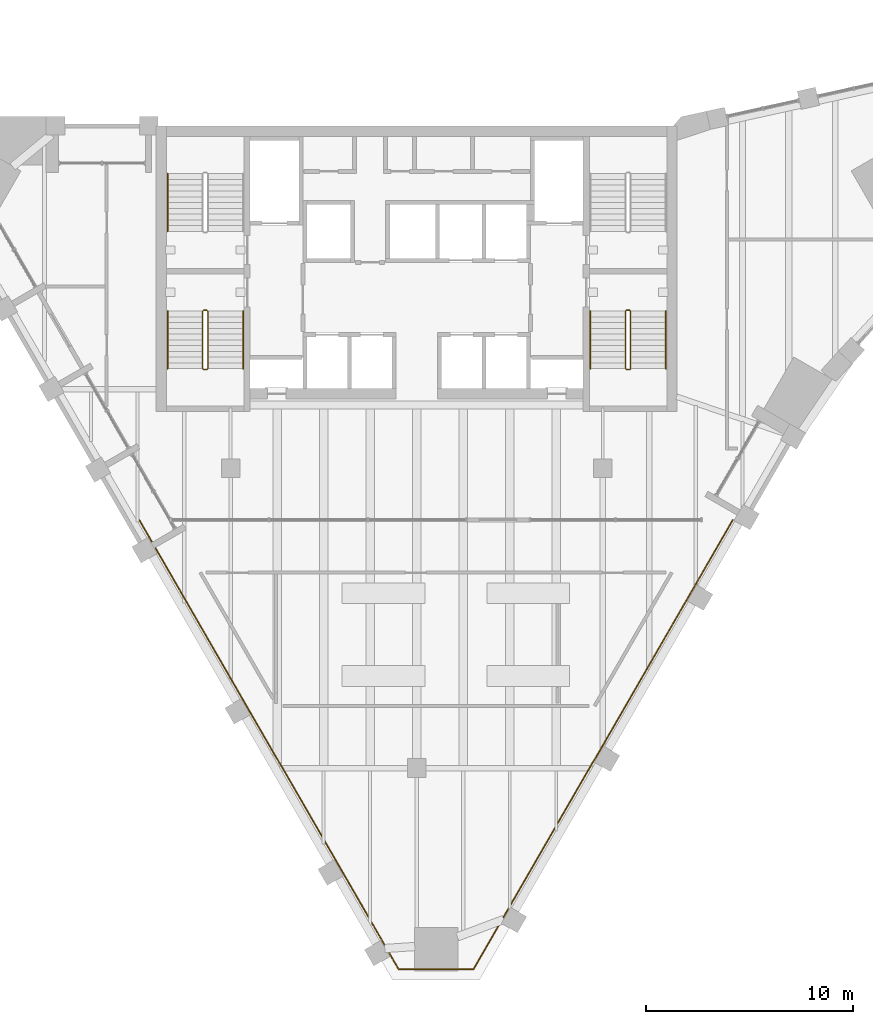
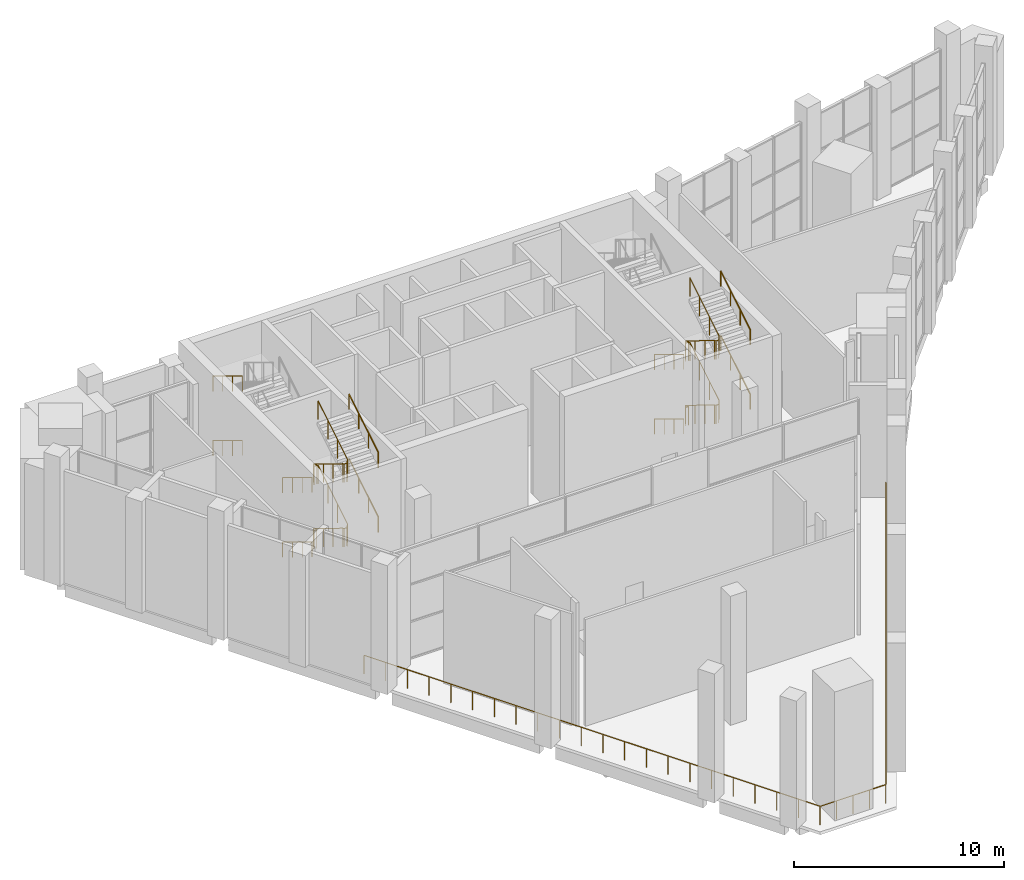
# One storey, part 13 of 14: 13 railings.
"""IFC4 building model written with IfcOpenShell, lengths in metres."""

import ifcopenshell
import ifcopenshell.guid

model = None  # the IFC model being written
_history = None  # IfcOwnerHistory: only IFC2X3 demands one
_inside = {}  # id of a spatial element -> (the spatial element, [elements in it])
_under = {}  # id of a project, library or spatial element -> (it, [spatial elements below it])
_declared = {}  # id of a project -> (the project, [libraries it declares])
_typed = {}  # id of a type object -> (the type object, [elements of that type])
_made_of = {}  # id of a material, layer set ... -> (it, [elements and type objects made of it])


def new_model(schema):
    """Start an empty IFC model of exactly this schema.

    Asked for "IFC4X3", IfcOpenShell would pick the latest addendum, in which some entities
    have other attributes; the version numbers below select the first issue.
    IFC2X3 requires an IfcOwnerHistory on every rooted entity: one is made here for all.
    """
    global model, _history
    if schema == "IFC4X3":
        model = ifcopenshell.file(schema_version=(4, 3, 0, 0))
    else:
        model = ifcopenshell.file(schema=schema)
    _inside.clear()
    _under.clear()
    _declared.clear()
    _typed.clear()
    _made_of.clear()
    _history = None
    if model.schema == "IFC2X3":
        org = make("IfcOrganization", Name="unknown")
        user = make(
            "IfcPersonAndOrganization",
            ThePerson=make("IfcPerson", FamilyName="unknown"),
            TheOrganization=org,
        )
        app = make(
            "IfcApplication",
            ApplicationDeveloper=org,
            Version="unknown",
            ApplicationFullName="unknown",
            ApplicationIdentifier="unknown",
        )
        _history = make(
            "IfcOwnerHistory",
            OwningUser=user,
            OwningApplication=app,
            ChangeAction="ADDED",
            CreationDate=0,
        )
    return model


def make(cls, **values):
    """One entity of the class cls with the attributes given. An attribute that is None is left unset."""
    return model.create_entity(
        cls, **{name: value for name, value in values.items() if value is not None}
    )


def rooted(cls, **values):
    """An entity with a GlobalId (a new one), such as an element, a storey or a relation."""
    return make(cls, GlobalId=ifcopenshell.guid.new(), OwnerHistory=_history, **values)


def si_unit(unit_type, name, prefix=None):
    """IfcSIUnit, for example si_unit("LENGTHUNIT", "METRE", prefix="MILLI")."""
    return make("IfcSIUnit", UnitType=unit_type, Prefix=prefix, Name=name)


def assignment(units):
    """IfcUnitAssignment: the units of a project."""
    return None if units is None else make("IfcUnitAssignment", Units=units)


def point(xyz):
    """IfcCartesianPoint."""
    return None if xyz is None else make("IfcCartesianPoint", Coordinates=xyz)


def direction(xyz):
    """IfcDirection."""
    return None if xyz is None else make("IfcDirection", DirectionRatios=xyz)


def frame(location, z_axis=None, x_axis=None):
    """IfcAxis2Placement3D, a coordinate frame: its origin and axes. An axis left out is left unset."""
    return make(
        "IfcAxis2Placement3D",
        Location=point(location),
        Axis=direction(z_axis),
        RefDirection=direction(x_axis),
    )


def frame_2d(location, x_axis=None):
    """IfcAxis2Placement2D, a coordinate frame in the plane: its origin and x axis."""
    return make(
        "IfcAxis2Placement2D", Location=point(location), RefDirection=direction(x_axis)
    )


def origin():
    """The frame at (0, 0, 0) with its axes left unset."""
    return frame((0.0, 0.0, 0.0))


def origin_2d():
    """The frame at (0, 0) in the plane with its x axis left unset."""
    return frame_2d((0.0, 0.0))


def place(relative_to, where):
    """IfcLocalPlacement: puts the frame where relative to a parent placement (None: the world)."""
    return make(
        "IfcLocalPlacement", PlacementRelTo=relative_to, RelativePlacement=where
    )


def context(
    kind, dimensions, precision=None, world=None, true_north=None, identifier=None
):
    """IfcGeometricRepresentationContext, for example the 3D "Model" context."""
    return make(
        "IfcGeometricRepresentationContext",
        ContextIdentifier=identifier,
        ContextType=kind,
        CoordinateSpaceDimension=dimensions,
        Precision=precision,
        WorldCoordinateSystem=world,
        TrueNorth=true_north,
    )


def subcontext(parent, identifier, kind, view, scale=None):
    """IfcGeometricRepresentationSubContext, for example "Body" below "Model"."""
    return make(
        "IfcGeometricRepresentationSubContext",
        ContextIdentifier=identifier,
        ContextType=kind,
        ParentContext=parent,
        TargetScale=scale,
        TargetView=view,
    )


def project(units=None, contexts=None):
    """IfcProject with its units and contexts."""
    return rooted(
        "IfcProject",
        Name="project",
        RepresentationContexts=contexts,
        UnitsInContext=assignment(units),
    )


def spatial(cls, under=None, at=None, **own):
    """A site, building, storey or space (cls), placed at a placement, below another one or the project."""
    s = rooted(cls, ObjectPlacement=at, **own)
    if under is not None:
        _under.setdefault(under.id(), (under, []))[1].append(s)
    return s


def profile(cls, at=None, kind="AREA", **sizes):
    """A parametric profile (cls). Its sizes go by their IFC names, for example OverallWidth=200.0."""
    return make(cls, ProfileType=kind, Position=at, **sizes)


def circle(**sizes):
    """IfcCircleProfileDef."""
    return profile("IfcCircleProfileDef", **sizes)


def extrude(swept, where, along, depth):
    """IfcExtrudedAreaSolid: the profile swept, set in the frame where, extruded along a direction by depth."""
    return make(
        "IfcExtrudedAreaSolid",
        SweptArea=swept,
        Position=where,
        ExtrudedDirection=direction(along),
        Depth=depth,
    )


def shape(context_of_items, identifier, shape_type, items):
    """IfcShapeRepresentation: the items that make up one representation, for example the "Body"."""
    return make(
        "IfcShapeRepresentation",
        ContextOfItems=context_of_items,
        RepresentationIdentifier=identifier,
        RepresentationType=shape_type,
        Items=items,
    )


def material(Name=None, Category=None):
    """IfcMaterial."""
    return make("IfcMaterial", Name=Name, Category=Category)


def made_of(thing, what):
    """Note that an element or type object is made of a material, layer set ...; save() writes the relation."""
    if what is not None:
        _made_of.setdefault(what.id(), (what, []))[1].append(thing)
    return thing


def type_object(cls, material=None, **own):
    """A type object (cls), such as IfcWallType, which elements share."""
    return made_of(rooted(cls, **own), material)


def element(
    cls,
    number,
    at=None,
    inside=None,
    cuts=None,
    type_object=None,
    material=None,
    context=None,
    identifier="Body",
    shape_type=None,
    held_by="IfcProductDefinitionShape",
    body=None,
    shapes=None,
    **own,
):
    """One element of the class cls, such as IfcWall. Its Tag is "e" and its number.

    at: its placement. inside: the storey or other place that contains it. cuts: it is an
    opening in that element (IfcRelVoidsElement). A single representation is given by context,
    identifier, shape_type and body (its items); several are given by shapes. held_by: the class
    of the entity that holds the representations. save() writes the other relations.
    """
    e = rooted(cls, Tag="e%d" % number, ObjectPlacement=at, **own)
    if body is not None:
        shapes = [shape(context, identifier, shape_type, body)]
    if shapes is not None:
        e.Representation = make(held_by, Representations=shapes)
    if inside is not None:
        _inside.setdefault(inside.id(), (inside, []))[1].append(e)
    if cuts is not None:
        rooted(
            "IfcRelVoidsElement", RelatingBuildingElement=cuts, RelatedOpeningElement=e
        )
    if type_object is not None:
        _typed.setdefault(type_object.id(), (type_object, []))[1].append(e)
    return made_of(e, material)


def aggregate(whole, parts):
    """IfcRelAggregates: a whole, such as a stair, and the parts it consists of."""
    return rooted("IfcRelAggregates", RelatingObject=whole, RelatedObjects=parts)


def save(model, path):
    """Write the relations noted so far, then the file.

    IfcRelAggregates (storeys below a building ...), IfcRelContainedInSpatialStructure (elements
    in a storey), IfcRelDefinesByType, IfcRelAssociatesMaterial and IfcRelDeclares: one each for
    every whole, place, type object, material and project.
    """
    for whole, parts in _under.values():
        aggregate(whole, parts)
    for where, things in _inside.values():
        rooted(
            "IfcRelContainedInSpatialStructure",
            RelatedElements=things,
            RelatingStructure=where,
        )
    for kind, things in _typed.values():
        rooted("IfcRelDefinesByType", RelatedObjects=things, RelatingType=kind)
    for what, things in _made_of.values():
        rooted("IfcRelAssociatesMaterial", RelatedObjects=things, RelatingMaterial=what)
    for by, libraries in _declared.values():
        rooted("IfcRelDeclares", RelatingContext=by, RelatedDefinitions=libraries)
    model.write(path)


model = new_model("IFC4")

# Units and contexts
model_context = context("Model", 3, precision=1e-05, world=origin(), true_north=direction((0.0, 1.0)))
body_context = subcontext(model_context, "Body", "Model", "MODEL_VIEW")
ifc_project = project(units=[si_unit("LENGTHUNIT", "METRE"), si_unit("AREAUNIT", "SQUARE_METRE"), si_unit("VOLUMEUNIT", "CUBIC_METRE"), si_unit("PLANEANGLEUNIT", "RADIAN"), si_unit("MASSUNIT", "GRAM", prefix="KILO")], contexts=[model_context])

# Site, building, storey
site_placement = place(None, origin())
site = spatial("IfcSite", under=ifc_project, at=site_placement, CompositionType="ELEMENT")
building_placement = place(site_placement, origin())
building = spatial("IfcBuilding", under=site, at=building_placement, Name="Calabash Gate Tower", CompositionType="ELEMENT")
storey_placement = place(building_placement, frame((0.0, 0.0, 295.0)))
storey = spatial("IfcBuildingStorey", under=building, at=storey_placement, Name="L71", CompositionType="ELEMENT", Elevation=295.0)

# Railings
ifc_material_1 = material(Name="Stainless steel 316 rail and posts", Category="steel")
railing_type_1 = type_object("IfcRailingType", Name="Portal edge guard 1100", PredefinedType="GUARDRAIL", material=ifc_material_1)
railing_1_placement = place(storey_placement, frame((15.286865234375, -0.010009765625, 0.0)))
element("IfcRailing", 1, at=railing_1_placement, inside=storey, type_object=railing_type_1, Name="GUARD L71 portal edge 1", PredefinedType="GUARDRAIL", context=body_context, shape_type="SweptSolid", body=[
    extrude(circle(Radius=0.02392578125, at=origin_2d()), frame((0.0, 0.0, 1.076171875), z_axis=(-0.499998125724, -0.866026485896, 0.0), x_axis=(0.866026485896, -0.499998125724, 0.0)), (0.0, 0.0, 1.0), 25.09375),
    extrude(circle(Radius=0.02392578125, at=origin_2d()), frame((-12.546875, -21.73193359375, 1.076171875), z_axis=(-1.0, 0.0, 0.0), x_axis=(0.0, -1.0, 0.0)), (0.0, 0.0, 1.0), 3.608154296875),
    extrude(circle(Radius=0.02392578125, at=origin_2d()), frame((-16.155029296875, -21.73193359375, 1.076171875), z_axis=(-0.499998125724, 0.866026485896, 0.0), x_axis=(-0.866026485896, -0.499998125724, 0.0)), (0.0, 0.0, 1.0), 25.09375),
    extrude(circle(Radius=0.02099609375, at=origin_2d()), origin(), (0.0, 0.0, 1.0), 1.052001953125),
    extrude(circle(Radius=0.02099609375, at=origin_2d()), frame((-0.597412109375, -1.034912109375, 0.0)), (0.0, 0.0, 1.0), 1.052001953125),
    extrude(circle(Radius=0.02099609375, at=origin_2d()), frame((-1.19482421875, -2.06982421875, 0.0)), (0.0, 0.0, 1.0), 1.052001953125),
    extrude(circle(Radius=0.02099609375, at=origin_2d()), frame((-1.79248046875, -3.1044921875, 0.0)), (0.0, 0.0, 1.0), 1.052001953125),
    extrude(circle(Radius=0.02099609375, at=origin_2d()), frame((-2.389892578125, -4.139404296875, 0.0)), (0.0, 0.0, 1.0), 1.052001953125),
    extrude(circle(Radius=0.02099609375, at=origin_2d()), frame((-2.9873046875, -5.17431640625, 0.0)), (0.0, 0.0, 1.0), 1.052001953125),
    extrude(circle(Radius=0.02099609375, at=origin_2d()), frame((-3.584716796875, -6.209228515625, 0.0)), (0.0, 0.0, 1.0), 1.052001953125),
    extrude(circle(Radius=0.02099609375, at=origin_2d()), frame((-4.182373046875, -7.243896484375, 0.0)), (0.0, 0.0, 1.0), 1.052001953125),
    extrude(circle(Radius=0.02099609375, at=origin_2d()), frame((-4.77978515625, -8.27880859375, 0.0)), (0.0, 0.0, 1.0), 1.052001953125),
    extrude(circle(Radius=0.02099609375, at=origin_2d()), frame((-5.377197265625, -9.313720703125, 0.0)), (0.0, 0.0, 1.0), 1.052001953125),
    extrude(circle(Radius=0.02099609375, at=origin_2d()), frame((-5.974609375, -10.3486328125, 0.0)), (0.0, 0.0, 1.0), 1.052001953125),
    extrude(circle(Radius=0.02099609375, at=origin_2d()), frame((-6.572265625, -11.38330078125, 0.0)), (0.0, 0.0, 1.0), 1.052001953125),
    extrude(circle(Radius=0.02099609375, at=origin_2d()), frame((-7.169677734375, -12.418212890625, 0.0)), (0.0, 0.0, 1.0), 1.052001953125),
    extrude(circle(Radius=0.02099609375, at=origin_2d()), frame((-7.76708984375, -13.453125, 0.0)), (0.0, 0.0, 1.0), 1.052001953125),
    extrude(circle(Radius=0.02099609375, at=origin_2d()), frame((-8.364501953125, -14.488037109375, 0.0)), (0.0, 0.0, 1.0), 1.052001953125),
    extrude(circle(Radius=0.02099609375, at=origin_2d()), frame((-8.962158203125, -15.522705078125, 0.0)), (0.0, 0.0, 1.0), 1.052001953125),
    extrude(circle(Radius=0.02099609375, at=origin_2d()), frame((-9.5595703125, -16.5576171875, 0.0)), (0.0, 0.0, 1.0), 1.052001953125),
    extrude(circle(Radius=0.02099609375, at=origin_2d()), frame((-10.156982421875, -17.592529296875, 0.0)), (0.0, 0.0, 1.0), 1.052001953125),
    extrude(circle(Radius=0.02099609375, at=origin_2d()), frame((-10.75439453125, -18.62744140625, 0.0)), (0.0, 0.0, 1.0), 1.052001953125),
    extrude(circle(Radius=0.02099609375, at=origin_2d()), frame((-11.35205078125, -19.662109375, 0.0)), (0.0, 0.0, 1.0), 1.052001953125),
    extrude(circle(Radius=0.02099609375, at=origin_2d()), frame((-11.949462890625, -20.697021484375, 0.0)), (0.0, 0.0, 1.0), 1.052001953125),
    extrude(circle(Radius=0.02099609375, at=origin_2d()), frame((-12.546875, -21.73193359375, 0.0)), (0.0, 0.0, 1.0), 1.052001953125),
    extrude(circle(Radius=0.02099609375, at=origin_2d()), frame((-13.448974609375, -21.73193359375, 0.0)), (0.0, 0.0, 1.0), 1.052001953125),
    extrude(circle(Radius=0.02099609375, at=origin_2d()), frame((-14.35107421875, -21.73193359375, 0.0)), (0.0, 0.0, 1.0), 1.052001953125),
    extrude(circle(Radius=0.02099609375, at=origin_2d()), frame((-15.2529296875, -21.73193359375, 0.0)), (0.0, 0.0, 1.0), 1.052001953125),
    extrude(circle(Radius=0.02099609375, at=origin_2d()), frame((-16.155029296875, -21.73193359375, 0.0)), (0.0, 0.0, 1.0), 1.052001953125),
    extrude(circle(Radius=0.02099609375, at=origin_2d()), frame((-16.75244140625, -20.697021484375, 0.0)), (0.0, 0.0, 1.0), 1.052001953125),
    extrude(circle(Radius=0.02099609375, at=origin_2d()), frame((-17.349853515625, -19.662109375, 0.0)), (0.0, 0.0, 1.0), 1.052001953125),
    extrude(circle(Radius=0.02099609375, at=origin_2d()), frame((-17.947509765625, -18.62744140625, 0.0)), (0.0, 0.0, 1.0), 1.052001953125),
    extrude(circle(Radius=0.02099609375, at=origin_2d()), frame((-18.544921875, -17.592529296875, 0.0)), (0.0, 0.0, 1.0), 1.052001953125),
    extrude(circle(Radius=0.02099609375, at=origin_2d()), frame((-19.142333984375, -16.5576171875, 0.0)), (0.0, 0.0, 1.0), 1.052001953125),
    extrude(circle(Radius=0.02099609375, at=origin_2d()), frame((-19.73974609375, -15.522705078125, 0.0)), (0.0, 0.0, 1.0), 1.052001953125),
    extrude(circle(Radius=0.02099609375, at=origin_2d()), frame((-20.33740234375, -14.488037109375, 0.0)), (0.0, 0.0, 1.0), 1.052001953125),
    extrude(circle(Radius=0.02099609375, at=origin_2d()), frame((-20.934814453125, -13.453125, 0.0)), (0.0, 0.0, 1.0), 1.052001953125),
    extrude(circle(Radius=0.02099609375, at=origin_2d()), frame((-21.5322265625, -12.418212890625, 0.0)), (0.0, 0.0, 1.0), 1.052001953125),
    extrude(circle(Radius=0.02099609375, at=origin_2d()), frame((-22.129638671875, -11.38330078125, 0.0)), (0.0, 0.0, 1.0), 1.052001953125),
    extrude(circle(Radius=0.02099609375, at=origin_2d()), frame((-22.727294921875, -10.3486328125, 0.0)), (0.0, 0.0, 1.0), 1.052001953125),
    extrude(circle(Radius=0.02099609375, at=origin_2d()), frame((-23.32470703125, -9.313720703125, 0.0)), (0.0, 0.0, 1.0), 1.052001953125),
    extrude(circle(Radius=0.02099609375, at=origin_2d()), frame((-23.922119140625, -8.27880859375, 0.0)), (0.0, 0.0, 1.0), 1.052001953125),
    extrude(circle(Radius=0.02099609375, at=origin_2d()), frame((-24.51953125, -7.243896484375, 0.0)), (0.0, 0.0, 1.0), 1.052001953125),
    extrude(circle(Radius=0.02099609375, at=origin_2d()), frame((-25.1171875, -6.209228515625, 0.0)), (0.0, 0.0, 1.0), 1.052001953125),
    extrude(circle(Radius=0.02099609375, at=origin_2d()), frame((-25.714599609375, -5.17431640625, 0.0)), (0.0, 0.0, 1.0), 1.052001953125),
    extrude(circle(Radius=0.02099609375, at=origin_2d()), frame((-26.31201171875, -4.139404296875, 0.0)), (0.0, 0.0, 1.0), 1.052001953125),
    extrude(circle(Radius=0.02099609375, at=origin_2d()), frame((-26.909423828125, -3.1044921875, 0.0)), (0.0, 0.0, 1.0), 1.052001953125),
    extrude(circle(Radius=0.02099609375, at=origin_2d()), frame((-27.507080078125, -2.06982421875, 0.0)), (0.0, 0.0, 1.0), 1.052001953125),
    extrude(circle(Radius=0.02099609375, at=origin_2d()), frame((-28.1044921875, -1.034912109375, 0.0)), (0.0, 0.0, 1.0), 1.052001953125),
    extrude(circle(Radius=0.02099609375, at=origin_2d()), frame((-28.701904296875, 0.0, 0.0)), (0.0, 0.0, 1.0), 1.052001953125),
])
ifc_material_2 = material(Name="Black powder-coated steel balusters", Category="steel")
railing_type_2 = type_object("IfcRailingType", Name="Stair guard RL1100", PredefinedType="GUARDRAIL", material=ifc_material_2)
railing_2_placement = place(storey_placement, frame((-10.300048828125, 10.152587890625, 0.0)))
element("IfcRailing", 2, at=railing_2_placement, inside=storey, type_object=railing_type_2, Name="L71 ST2 stair guard 1", PredefinedType="GUARDRAIL", context=body_context, shape_type="SweptSolid", body=[
    extrude(circle(Radius=0.02392578125, at=origin_2d()), frame((0.0, 0.0, 1.076171875), z_axis=(1.0, 0.0, 0.0), x_axis=(0.0, 1.0, 0.0)), (0.0, 0.0, 1.0), 0.150146484375),
    extrude(circle(Radius=0.02392578125, at=origin_2d()), frame((0.150146484375, 0.0, 1.076171875), z_axis=(-0.748046597492, -0.187011649373, 0.636751859816), x_axis=(0.242535625036, -0.970142500145, 0.0)), (0.0, 0.0, 1.0), 0.267578125),
    extrude(circle(Radius=0.02392578125, at=origin_2d()), frame((-0.050048828125, -0.050048828125, 1.24658203125), z_axis=(0.0, -0.853340893827, 0.521353353229), x_axis=(1.0, 0.0, 0.0)), (0.0, 0.0, 1.0), 3.26953125),
    extrude(circle(Radius=0.02392578125, at=origin_2d()), frame((-0.050048828125, -2.840087890625, 2.951171875), z_axis=(0.708833529934, -0.705375805398, 0.0), x_axis=(0.705375805398, 0.708833529934, 0.0)), (0.0, 0.0, 1.0), 0.070556640625),
    extrude(circle(Radius=0.02392578125, at=origin_2d()), frame((0.0, -2.889892578125, 2.951171875), z_axis=(1.0, 0.0, 0.0), x_axis=(0.0, 1.0, 0.0)), (0.0, 0.0, 1.0), 0.150146484375),
    extrude(circle(Radius=0.02392578125, at=origin_2d()), frame((0.150146484375, -2.889892578125, 2.951171875), z_axis=(0.27010131868, 0.27010131868, 0.924170198229), x_axis=(-0.707106781187, 0.707106781187, 0.0)), (0.0, 0.0, 1.0), 0.184326171875),
    extrude(circle(Radius=0.02392578125, at=origin_2d()), frame((0.199951171875, -2.840087890625, 3.12158203125), z_axis=(0.0, 0.853340893827, 0.521353353229), x_axis=(-1.0, 0.0, 0.0)), (0.0, 0.0, 1.0), 3.26953125),
    extrude(circle(Radius=0.02392578125, at=origin_2d()), frame((0.199951171875, -0.050048828125, 4.826171875), z_axis=(-0.970072785993, 0.242814311512, 0.0), x_axis=(-0.242814311512, -0.970072785993, 0.0)), (0.0, 0.0, 1.0), 0.2060546875),
    extrude(circle(Radius=0.02392578125, at=origin_2d()), frame((0.0, 0.0, 4.826171875), z_axis=(1.0, 0.0, 0.0), x_axis=(0.0, 1.0, 0.0)), (0.0, 0.0, 1.0), 0.150146484375),
    extrude(circle(Radius=0.02392578125, at=origin_2d()), frame((0.150146484375, 0.0, 4.826171875), z_axis=(-0.748046597492, -0.187011649373, 0.636751859816), x_axis=(0.242535625036, -0.970142500145, 0.0)), (0.0, 0.0, 1.0), 0.267578125),
    extrude(circle(Radius=0.02392578125, at=origin_2d()), frame((-0.050048828125, -0.050048828125, 4.99658203125), z_axis=(0.0, -0.853340893827, 0.521353353229), x_axis=(1.0, 0.0, 0.0)), (0.0, 0.0, 1.0), 3.26953125),
    extrude(circle(Radius=0.02392578125, at=origin_2d()), frame((-0.050048828125, -2.840087890625, 6.701171875), z_axis=(0.708833529934, -0.705375805398, 0.0), x_axis=(0.705375805398, 0.708833529934, 0.0)), (0.0, 0.0, 1.0), 0.070556640625),
    extrude(circle(Radius=0.02392578125, at=origin_2d()), frame((0.0, -2.889892578125, 6.701171875), z_axis=(1.0, 0.0, 0.0), x_axis=(0.0, 1.0, 0.0)), (0.0, 0.0, 1.0), 0.150146484375),
    extrude(circle(Radius=0.02392578125, at=origin_2d()), frame((0.150146484375, -2.889892578125, 6.701171875), z_axis=(0.27010131868, 0.27010131868, 0.924170198229), x_axis=(-0.707106781187, 0.707106781187, 0.0)), (0.0, 0.0, 1.0), 0.184326171875),
    extrude(circle(Radius=0.02392578125, at=origin_2d()), frame((0.199951171875, -2.840087890625, 6.87158203125), z_axis=(0.0, 0.853340893827, 0.521353353229), x_axis=(-1.0, 0.0, 0.0)), (0.0, 0.0, 1.0), 3.26953125),
    extrude(circle(Radius=0.02099609375, at=origin_2d()), origin(), (0.0, 0.0, 1.0), 1.052001953125),
    extrude(circle(Radius=0.02099609375, at=origin_2d()), frame((0.150146484375, 0.0, 0.0)), (0.0, 0.0, 1.0), 1.052001953125),
    extrude(circle(Radius=0.02099609375, at=origin_2d()), frame((-0.050048828125, -0.050048828125, 0.17041015625)), (0.0, 0.0, 1.0), 1.052001953125),
    extrude(circle(Radius=0.02099609375, at=origin_2d()), frame((-0.050048828125, -0.97998046875, 0.738525390625)), (0.0, 0.0, 1.0), 1.052001953125),
    extrude(circle(Radius=0.02099609375, at=origin_2d()), frame((-0.050048828125, -1.91015625, 1.306884765625)), (0.0, 0.0, 1.0), 1.052001953125),
    extrude(circle(Radius=0.02099609375, at=origin_2d()), frame((-0.050048828125, -2.840087890625, 1.875)), (0.0, 0.0, 1.0), 1.052001953125),
    extrude(circle(Radius=0.02099609375, at=origin_2d()), frame((0.0, -2.889892578125, 1.875)), (0.0, 0.0, 1.0), 1.052001953125),
    extrude(circle(Radius=0.02099609375, at=origin_2d()), frame((0.150146484375, -2.889892578125, 1.875)), (0.0, 0.0, 1.0), 1.052001953125),
    extrude(circle(Radius=0.02099609375, at=origin_2d()), frame((0.199951171875, -2.840087890625, 2.04541015625)), (0.0, 0.0, 1.0), 1.052001953125),
    extrude(circle(Radius=0.02099609375, at=origin_2d()), frame((0.199951171875, -1.91015625, 2.613525390625)), (0.0, 0.0, 1.0), 1.052001953125),
    extrude(circle(Radius=0.02099609375, at=origin_2d()), frame((0.199951171875, -0.97998046875, 3.181884765625)), (0.0, 0.0, 1.0), 1.052001953125),
    extrude(circle(Radius=0.02099609375, at=origin_2d()), frame((0.199951171875, -0.050048828125, 3.75)), (0.0, 0.0, 1.0), 1.052001953125),
    extrude(circle(Radius=0.02099609375, at=origin_2d()), frame((0.0, 0.0, 3.75)), (0.0, 0.0, 1.0), 1.052001953125),
    extrude(circle(Radius=0.02099609375, at=origin_2d()), frame((0.150146484375, 0.0, 3.75)), (0.0, 0.0, 1.0), 1.052001953125),
    extrude(circle(Radius=0.02099609375, at=origin_2d()), frame((-0.050048828125, -0.050048828125, 3.92041015625)), (0.0, 0.0, 1.0), 1.052001953125),
    extrude(circle(Radius=0.02099609375, at=origin_2d()), frame((-0.050048828125, -0.97998046875, 4.488525390625)), (0.0, 0.0, 1.0), 1.052001953125),
    extrude(circle(Radius=0.02099609375, at=origin_2d()), frame((-0.050048828125, -1.91015625, 5.056884765625)), (0.0, 0.0, 1.0), 1.052001953125),
    extrude(circle(Radius=0.02099609375, at=origin_2d()), frame((-0.050048828125, -2.840087890625, 5.625)), (0.0, 0.0, 1.0), 1.052001953125),
    extrude(circle(Radius=0.02099609375, at=origin_2d()), frame((0.0, -2.889892578125, 5.625)), (0.0, 0.0, 1.0), 1.052001953125),
    extrude(circle(Radius=0.02099609375, at=origin_2d()), frame((0.150146484375, -2.889892578125, 5.625)), (0.0, 0.0, 1.0), 1.052001953125),
    extrude(circle(Radius=0.02099609375, at=origin_2d()), frame((0.199951171875, -2.840087890625, 5.79541015625)), (0.0, 0.0, 1.0), 1.052001953125),
    extrude(circle(Radius=0.02099609375, at=origin_2d()), frame((0.199951171875, -1.91015625, 6.363525390625)), (0.0, 0.0, 1.0), 1.052001953125),
    extrude(circle(Radius=0.02099609375, at=origin_2d()), frame((0.199951171875, -0.97998046875, 6.931884765625)), (0.0, 0.0, 1.0), 1.052001953125),
    extrude(circle(Radius=0.02099609375, at=origin_2d()), frame((0.199951171875, -0.050048828125, 7.5)), (0.0, 0.0, 1.0), 1.052001953125),
])
railing_3_placement = place(storey_placement, frame((10.14990234375, 10.152587890625, 0.0)))
element("IfcRailing", 3, at=railing_3_placement, inside=storey, type_object=railing_type_2, Name="L71 ST4 stair guard 1", PredefinedType="GUARDRAIL", context=body_context, shape_type="SweptSolid", body=[
    extrude(circle(Radius=0.02392578125, at=origin_2d()), frame((0.0, 0.0, 1.076171875), z_axis=(1.0, 0.0, 0.0), x_axis=(0.0, 1.0, 0.0)), (0.0, 0.0, 1.0), 0.150146484375),
    extrude(circle(Radius=0.02392578125, at=origin_2d()), frame((0.150146484375, 0.0, 1.076171875), z_axis=(-0.747644406186, -0.18713932023, 0.637186563514), x_axis=(0.242814311512, -0.970072785993, 0.0)), (0.0, 0.0, 1.0), 0.267333984375),
    extrude(circle(Radius=0.02392578125, at=origin_2d()), frame((-0.0498046875, -0.050048828125, 1.24658203125), z_axis=(0.0, -0.853340893827, 0.521353353229), x_axis=(1.0, 0.0, 0.0)), (0.0, 0.0, 1.0), 3.26953125),
    extrude(circle(Radius=0.02392578125, at=origin_2d()), frame((-0.0498046875, -2.840087890625, 2.951171875), z_axis=(0.707106781187, -0.707106781187, 0.0), x_axis=(0.707106781187, 0.707106781187, 0.0)), (0.0, 0.0, 1.0), 0.0703125),
    extrude(circle(Radius=0.02392578125, at=origin_2d()), frame((0.0, -2.889892578125, 2.951171875), z_axis=(1.0, 0.0, 0.0), x_axis=(0.0, 1.0, 0.0)), (0.0, 0.0, 1.0), 0.150146484375),
    extrude(circle(Radius=0.02392578125, at=origin_2d()), frame((0.150146484375, -2.889892578125, 2.951171875), z_axis=(0.271328091682, 0.270004540015, 0.923839063385), x_axis=(-0.705375805398, 0.708833529934, 0.0)), (0.0, 0.0, 1.0), 0.1845703125),
    extrude(circle(Radius=0.02392578125, at=origin_2d()), frame((0.2001953125, -2.840087890625, 3.12158203125), z_axis=(0.0, 0.853340893827, 0.521353353229), x_axis=(-1.0, 0.0, 0.0)), (0.0, 0.0, 1.0), 3.26953125),
    extrude(circle(Radius=0.02392578125, at=origin_2d()), frame((0.2001953125, -0.050048828125, 4.826171875), z_axis=(-0.970142500145, 0.242535625036, 0.0), x_axis=(-0.242535625036, -0.970142500145, 0.0)), (0.0, 0.0, 1.0), 0.206298828125),
    extrude(circle(Radius=0.02392578125, at=origin_2d()), frame((0.0, 0.0, 4.826171875), z_axis=(1.0, 0.0, 0.0), x_axis=(0.0, 1.0, 0.0)), (0.0, 0.0, 1.0), 0.150146484375),
    extrude(circle(Radius=0.02392578125, at=origin_2d()), frame((0.150146484375, 0.0, 4.826171875), z_axis=(-0.747644406186, -0.18713932023, 0.637186563514), x_axis=(0.242814311512, -0.970072785993, 0.0)), (0.0, 0.0, 1.0), 0.267333984375),
    extrude(circle(Radius=0.02392578125, at=origin_2d()), frame((-0.0498046875, -0.050048828125, 4.99658203125), z_axis=(0.0, -0.853340893827, 0.521353353229), x_axis=(1.0, 0.0, 0.0)), (0.0, 0.0, 1.0), 3.26953125),
    extrude(circle(Radius=0.02392578125, at=origin_2d()), frame((-0.0498046875, -2.840087890625, 6.701171875), z_axis=(0.707106781187, -0.707106781187, 0.0), x_axis=(0.707106781187, 0.707106781187, 0.0)), (0.0, 0.0, 1.0), 0.0703125),
    extrude(circle(Radius=0.02392578125, at=origin_2d()), frame((0.0, -2.889892578125, 6.701171875), z_axis=(1.0, 0.0, 0.0), x_axis=(0.0, 1.0, 0.0)), (0.0, 0.0, 1.0), 0.150146484375),
    extrude(circle(Radius=0.02392578125, at=origin_2d()), frame((0.150146484375, -2.889892578125, 6.701171875), z_axis=(0.271328091682, 0.270004540015, 0.923839063385), x_axis=(-0.705375805398, 0.708833529934, 0.0)), (0.0, 0.0, 1.0), 0.1845703125),
    extrude(circle(Radius=0.02392578125, at=origin_2d()), frame((0.2001953125, -2.840087890625, 6.87158203125), z_axis=(0.0, 0.853340893827, 0.521353353229), x_axis=(-1.0, 0.0, 0.0)), (0.0, 0.0, 1.0), 3.26953125),
    extrude(circle(Radius=0.02099609375, at=origin_2d()), origin(), (0.0, 0.0, 1.0), 1.052001953125),
    extrude(circle(Radius=0.02099609375, at=origin_2d()), frame((0.150146484375, 0.0, 0.0)), (0.0, 0.0, 1.0), 1.052001953125),
    extrude(circle(Radius=0.02099609375, at=origin_2d()), frame((-0.0498046875, -0.050048828125, 0.17041015625)), (0.0, 0.0, 1.0), 1.052001953125),
    extrude(circle(Radius=0.02099609375, at=origin_2d()), frame((-0.0498046875, -0.97998046875, 0.738525390625)), (0.0, 0.0, 1.0), 1.052001953125),
    extrude(circle(Radius=0.02099609375, at=origin_2d()), frame((-0.0498046875, -1.91015625, 1.306884765625)), (0.0, 0.0, 1.0), 1.052001953125),
    extrude(circle(Radius=0.02099609375, at=origin_2d()), frame((-0.0498046875, -2.840087890625, 1.875)), (0.0, 0.0, 1.0), 1.052001953125),
    extrude(circle(Radius=0.02099609375, at=origin_2d()), frame((0.0, -2.889892578125, 1.875)), (0.0, 0.0, 1.0), 1.052001953125),
    extrude(circle(Radius=0.02099609375, at=origin_2d()), frame((0.150146484375, -2.889892578125, 1.875)), (0.0, 0.0, 1.0), 1.052001953125),
    extrude(circle(Radius=0.02099609375, at=origin_2d()), frame((0.2001953125, -2.840087890625, 2.04541015625)), (0.0, 0.0, 1.0), 1.052001953125),
    extrude(circle(Radius=0.02099609375, at=origin_2d()), frame((0.2001953125, -1.91015625, 2.613525390625)), (0.0, 0.0, 1.0), 1.052001953125),
    extrude(circle(Radius=0.02099609375, at=origin_2d()), frame((0.2001953125, -0.97998046875, 3.181884765625)), (0.0, 0.0, 1.0), 1.052001953125),
    extrude(circle(Radius=0.02099609375, at=origin_2d()), frame((0.2001953125, -0.050048828125, 3.75)), (0.0, 0.0, 1.0), 1.052001953125),
    extrude(circle(Radius=0.02099609375, at=origin_2d()), frame((0.0, 0.0, 3.75)), (0.0, 0.0, 1.0), 1.052001953125),
    extrude(circle(Radius=0.02099609375, at=origin_2d()), frame((0.150146484375, 0.0, 3.75)), (0.0, 0.0, 1.0), 1.052001953125),
    extrude(circle(Radius=0.02099609375, at=origin_2d()), frame((-0.0498046875, -0.050048828125, 3.92041015625)), (0.0, 0.0, 1.0), 1.052001953125),
    extrude(circle(Radius=0.02099609375, at=origin_2d()), frame((-0.0498046875, -0.97998046875, 4.488525390625)), (0.0, 0.0, 1.0), 1.052001953125),
    extrude(circle(Radius=0.02099609375, at=origin_2d()), frame((-0.0498046875, -1.91015625, 5.056884765625)), (0.0, 0.0, 1.0), 1.052001953125),
    extrude(circle(Radius=0.02099609375, at=origin_2d()), frame((-0.0498046875, -2.840087890625, 5.625)), (0.0, 0.0, 1.0), 1.052001953125),
    extrude(circle(Radius=0.02099609375, at=origin_2d()), frame((0.0, -2.889892578125, 5.625)), (0.0, 0.0, 1.0), 1.052001953125),
    extrude(circle(Radius=0.02099609375, at=origin_2d()), frame((0.150146484375, -2.889892578125, 5.625)), (0.0, 0.0, 1.0), 1.052001953125),
    extrude(circle(Radius=0.02099609375, at=origin_2d()), frame((0.2001953125, -2.840087890625, 5.79541015625)), (0.0, 0.0, 1.0), 1.052001953125),
    extrude(circle(Radius=0.02099609375, at=origin_2d()), frame((0.2001953125, -1.91015625, 6.363525390625)), (0.0, 0.0, 1.0), 1.052001953125),
    extrude(circle(Radius=0.02099609375, at=origin_2d()), frame((0.2001953125, -0.97998046875, 6.931884765625)), (0.0, 0.0, 1.0), 1.052001953125),
    extrude(circle(Radius=0.02099609375, at=origin_2d()), frame((0.2001953125, -0.050048828125, 7.5)), (0.0, 0.0, 1.0), 1.052001953125),
])
ifc_material_3 = material(Name="Black powder-coated steel tube 48 mm", Category="steel")
railing_type_3 = type_object("IfcRailingType", Name="Stair handrail RL900", PredefinedType="HANDRAIL", material=ifc_material_3)
for number, where, name in (
    (4, (-12.050048828125, 16.74267578125, 2.04541015625), "L71 ST1 stair handrail 2"),
    (5, (-12.050048828125, 16.74267578125, 5.79541015625), "L71 ST1 stair handrail 4"),
    (6, (-12.050048828125, 10.1025390625, 0.17041015625), "L71 ST2 stair handrail 1"),
):
    element("IfcRailing", number, at=place(storey_placement, frame(where)), inside=storey, type_object=railing_type_3, Name=name, PredefinedType="HANDRAIL", context=body_context, shape_type="SweptSolid", body=[
        extrude(circle(Radius=0.02392578125, at=origin_2d()), frame((0.0, 0.0, 0.8759765625), z_axis=(0.0, -0.853340893827, 0.521353353229), x_axis=(1.0, 0.0, 0.0)), (0.0, 0.0, 1.0), 3.26953125),
        extrude(circle(Radius=0.02099609375, at=origin_2d()), origin(), (0.0, 0.0, 1.0), 0.851806640625),
        extrude(circle(Radius=0.02099609375, at=origin_2d()), frame((0.0, -0.929931640625, 0.568115234375)), (0.0, 0.0, 1.0), 0.851806640625),
        extrude(circle(Radius=0.02099609375, at=origin_2d()), frame((0.0, -1.860107421875, 1.136474609375)), (0.0, 0.0, 1.0), 0.851806640625),
        extrude(circle(Radius=0.02099609375, at=origin_2d()), frame((0.0, -2.7900390625, 1.70458984375)), (0.0, 0.0, 1.0), 0.851806640625),
    ])
railing_4_placement = place(storey_placement, frame((-8.39990234375, 7.3125, 2.04541015625)))
element("IfcRailing", 7, at=railing_4_placement, inside=storey, type_object=railing_type_3, Name="L71 ST2 stair handrail 2", PredefinedType="HANDRAIL", context=body_context, shape_type="SweptSolid", body=[
    extrude(circle(Radius=0.02392578125, at=origin_2d()), frame((0.0, 0.0, 0.8759765625), z_axis=(0.0, 0.853340893827, 0.521353353229), x_axis=(-1.0, 0.0, 0.0)), (0.0, 0.0, 1.0), 3.26953125),
    extrude(circle(Radius=0.02099609375, at=origin_2d()), origin(), (0.0, 0.0, 1.0), 0.851806640625),
    extrude(circle(Radius=0.02099609375, at=origin_2d()), frame((0.0, 0.929931640625, 0.568115234375)), (0.0, 0.0, 1.0), 0.851806640625),
    extrude(circle(Radius=0.02099609375, at=origin_2d()), frame((0.0, 1.860107421875, 1.136474609375)), (0.0, 0.0, 1.0), 0.851806640625),
    extrude(circle(Radius=0.02099609375, at=origin_2d()), frame((0.0, 2.7900390625, 1.70458984375)), (0.0, 0.0, 1.0), 0.851806640625),
])
railing_5_placement = place(storey_placement, frame((-12.050048828125, 10.1025390625, 3.92041015625)))
element("IfcRailing", 8, at=railing_5_placement, inside=storey, type_object=railing_type_3, Name="L71 ST2 stair handrail 3", PredefinedType="HANDRAIL", context=body_context, shape_type="SweptSolid", body=[
    extrude(circle(Radius=0.02392578125, at=origin_2d()), frame((0.0, 0.0, 0.8759765625), z_axis=(0.0, -0.853340893827, 0.521353353229), x_axis=(1.0, 0.0, 0.0)), (0.0, 0.0, 1.0), 3.26953125),
    extrude(circle(Radius=0.02099609375, at=origin_2d()), origin(), (0.0, 0.0, 1.0), 0.851806640625),
    extrude(circle(Radius=0.02099609375, at=origin_2d()), frame((0.0, -0.929931640625, 0.568115234375)), (0.0, 0.0, 1.0), 0.851806640625),
    extrude(circle(Radius=0.02099609375, at=origin_2d()), frame((0.0, -1.860107421875, 1.136474609375)), (0.0, 0.0, 1.0), 0.851806640625),
    extrude(circle(Radius=0.02099609375, at=origin_2d()), frame((0.0, -2.7900390625, 1.70458984375)), (0.0, 0.0, 1.0), 0.851806640625),
])
railing_6_placement = place(storey_placement, frame((-8.39990234375, 7.3125, 5.79541015625)))
element("IfcRailing", 9, at=railing_6_placement, inside=storey, type_object=railing_type_3, Name="L71 ST2 stair handrail 4", PredefinedType="HANDRAIL", context=body_context, shape_type="SweptSolid", body=[
    extrude(circle(Radius=0.02392578125, at=origin_2d()), frame((0.0, 0.0, 0.8759765625), z_axis=(0.0, 0.853340893827, 0.521353353229), x_axis=(-1.0, 0.0, 0.0)), (0.0, 0.0, 1.0), 3.26953125),
    extrude(circle(Radius=0.02099609375, at=origin_2d()), origin(), (0.0, 0.0, 1.0), 0.851806640625),
    extrude(circle(Radius=0.02099609375, at=origin_2d()), frame((0.0, 0.929931640625, 0.568115234375)), (0.0, 0.0, 1.0), 0.851806640625),
    extrude(circle(Radius=0.02099609375, at=origin_2d()), frame((0.0, 1.860107421875, 1.136474609375)), (0.0, 0.0, 1.0), 0.851806640625),
    extrude(circle(Radius=0.02099609375, at=origin_2d()), frame((0.0, 2.7900390625, 1.70458984375)), (0.0, 0.0, 1.0), 0.851806640625),
])
railing_7_placement = place(storey_placement, frame((8.39990234375, 10.1025390625, 0.17041015625)))
element("IfcRailing", 10, at=railing_7_placement, inside=storey, type_object=railing_type_3, Name="L71 ST4 stair handrail 1", PredefinedType="HANDRAIL", context=body_context, shape_type="SweptSolid", body=[
    extrude(circle(Radius=0.02392578125, at=origin_2d()), frame((0.0, 0.0, 0.8759765625), z_axis=(0.0, -0.853340893827, 0.521353353229), x_axis=(1.0, 0.0, 0.0)), (0.0, 0.0, 1.0), 3.26953125),
    extrude(circle(Radius=0.02099609375, at=origin_2d()), origin(), (0.0, 0.0, 1.0), 0.851806640625),
    extrude(circle(Radius=0.02099609375, at=origin_2d()), frame((0.0, -0.929931640625, 0.568115234375)), (0.0, 0.0, 1.0), 0.851806640625),
    extrude(circle(Radius=0.02099609375, at=origin_2d()), frame((0.0, -1.860107421875, 1.136474609375)), (0.0, 0.0, 1.0), 0.851806640625),
    extrude(circle(Radius=0.02099609375, at=origin_2d()), frame((0.0, -2.7900390625, 1.70458984375)), (0.0, 0.0, 1.0), 0.851806640625),
])
railing_8_placement = place(storey_placement, frame((12.050048828125, 7.3125, 2.04541015625)))
element("IfcRailing", 11, at=railing_8_placement, inside=storey, type_object=railing_type_3, Name="L71 ST4 stair handrail 2", PredefinedType="HANDRAIL", context=body_context, shape_type="SweptSolid", body=[
    extrude(circle(Radius=0.02392578125, at=origin_2d()), frame((0.0, 0.0, 0.8759765625), z_axis=(0.0, 0.853340893827, 0.521353353229), x_axis=(-1.0, 0.0, 0.0)), (0.0, 0.0, 1.0), 3.26953125),
    extrude(circle(Radius=0.02099609375, at=origin_2d()), origin(), (0.0, 0.0, 1.0), 0.851806640625),
    extrude(circle(Radius=0.02099609375, at=origin_2d()), frame((0.0, 0.929931640625, 0.568115234375)), (0.0, 0.0, 1.0), 0.851806640625),
    extrude(circle(Radius=0.02099609375, at=origin_2d()), frame((0.0, 1.860107421875, 1.136474609375)), (0.0, 0.0, 1.0), 0.851806640625),
    extrude(circle(Radius=0.02099609375, at=origin_2d()), frame((0.0, 2.7900390625, 1.70458984375)), (0.0, 0.0, 1.0), 0.851806640625),
])
railing_9_placement = place(storey_placement, frame((8.39990234375, 10.1025390625, 3.92041015625)))
element("IfcRailing", 12, at=railing_9_placement, inside=storey, type_object=railing_type_3, Name="L71 ST4 stair handrail 3", PredefinedType="HANDRAIL", context=body_context, shape_type="SweptSolid", body=[
    extrude(circle(Radius=0.02392578125, at=origin_2d()), frame((0.0, 0.0, 0.8759765625), z_axis=(0.0, -0.853340893827, 0.521353353229), x_axis=(1.0, 0.0, 0.0)), (0.0, 0.0, 1.0), 3.26953125),
    extrude(circle(Radius=0.02099609375, at=origin_2d()), origin(), (0.0, 0.0, 1.0), 0.851806640625),
    extrude(circle(Radius=0.02099609375, at=origin_2d()), frame((0.0, -0.929931640625, 0.568115234375)), (0.0, 0.0, 1.0), 0.851806640625),
    extrude(circle(Radius=0.02099609375, at=origin_2d()), frame((0.0, -1.860107421875, 1.136474609375)), (0.0, 0.0, 1.0), 0.851806640625),
    extrude(circle(Radius=0.02099609375, at=origin_2d()), frame((0.0, -2.7900390625, 1.70458984375)), (0.0, 0.0, 1.0), 0.851806640625),
])
railing_10_placement = place(storey_placement, frame((12.050048828125, 7.3125, 5.79541015625)))
element("IfcRailing", 13, at=railing_10_placement, inside=storey, type_object=railing_type_3, Name="L71 ST4 stair handrail 4", PredefinedType="HANDRAIL", context=body_context, shape_type="SweptSolid", body=[
    extrude(circle(Radius=0.02392578125, at=origin_2d()), frame((0.0, 0.0, 0.8759765625), z_axis=(0.0, 0.853340893827, 0.521353353229), x_axis=(-1.0, 0.0, 0.0)), (0.0, 0.0, 1.0), 3.26953125),
    extrude(circle(Radius=0.02099609375, at=origin_2d()), origin(), (0.0, 0.0, 1.0), 0.851806640625),
    extrude(circle(Radius=0.02099609375, at=origin_2d()), frame((0.0, 0.929931640625, 0.568115234375)), (0.0, 0.0, 1.0), 0.851806640625),
    extrude(circle(Radius=0.02099609375, at=origin_2d()), frame((0.0, 1.860107421875, 1.136474609375)), (0.0, 0.0, 1.0), 0.851806640625),
    extrude(circle(Radius=0.02099609375, at=origin_2d()), frame((0.0, 2.7900390625, 1.70458984375)), (0.0, 0.0, 1.0), 0.851806640625),
])

save(model, "model.ifc")
